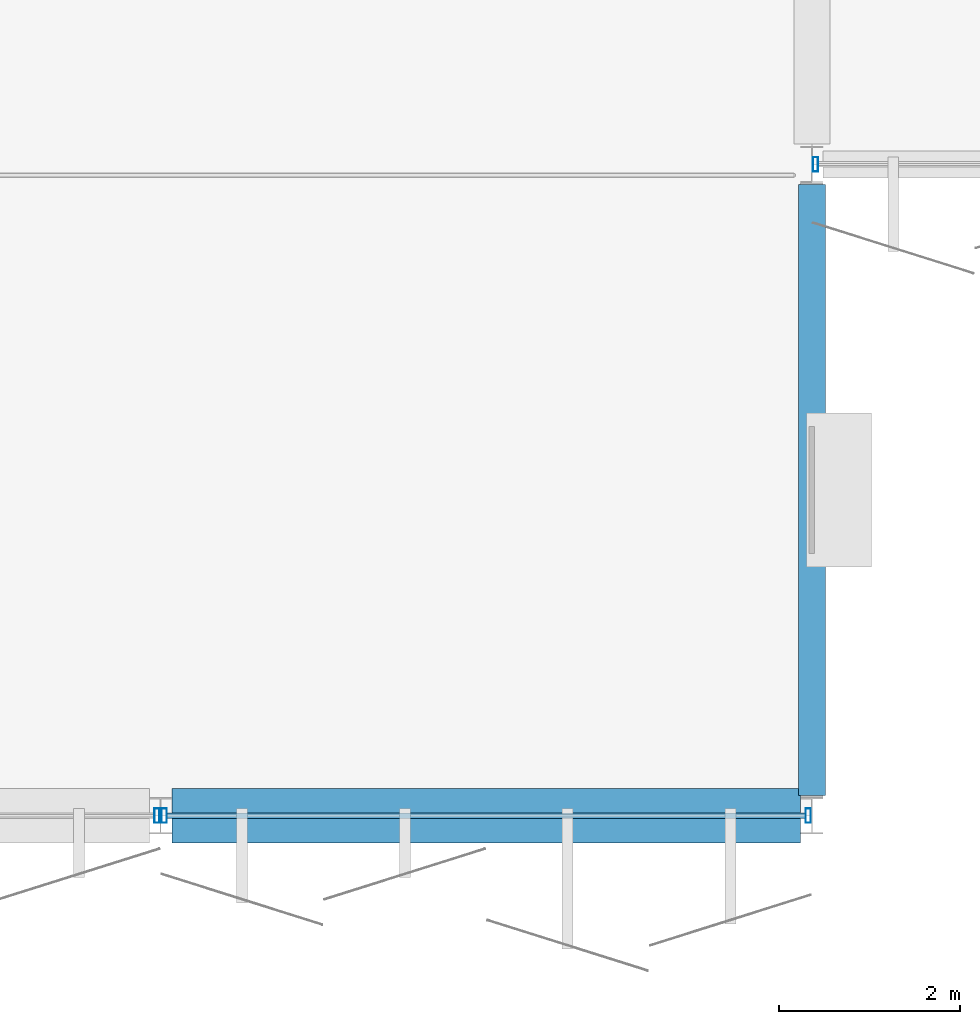
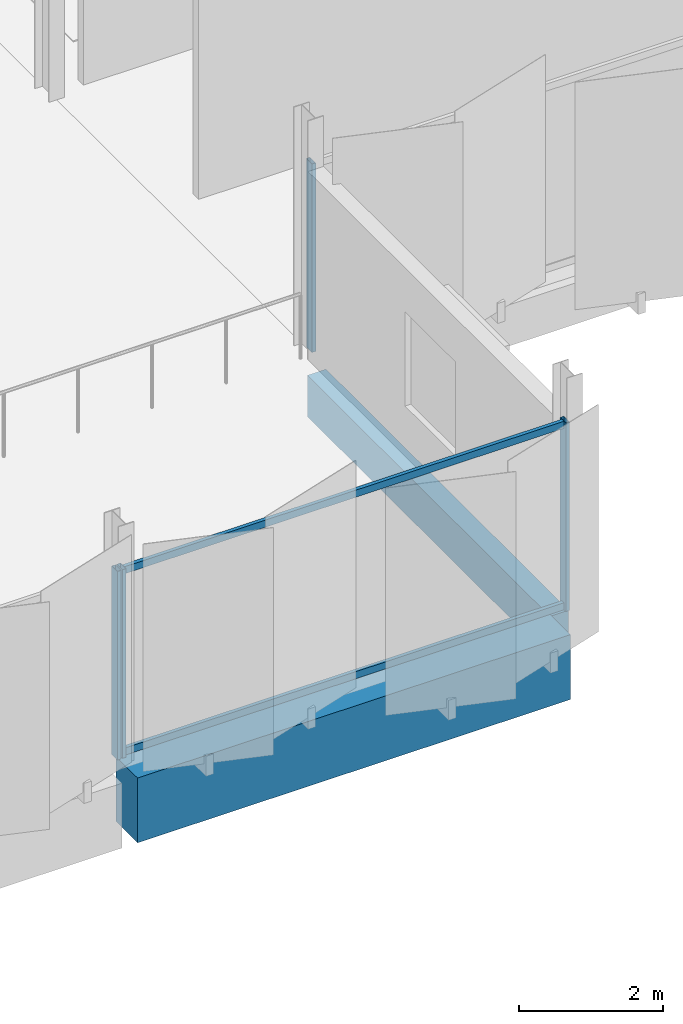
# One storey, part 42 of 107: 6 members, 2 beams, 3 elements without a shape of their own.
"""IFC4 building model written with IfcOpenShell, lengths in metres."""

from ifc_helpers import new_model, si_unit, direction, frame, origin, origin_2d, place, context, subcontext, project, spatial, rectangle, hollow_rectangle, extrude, material, layer, layer_set, material_profile, profile_set, type_object, element, aggregate, save


model = new_model("IFC4")

# Units and contexts
model_context = context("Model", 3, precision=1e-05, world=origin(), true_north=direction((0.0, 1.0)))
body_context = subcontext(model_context, "Body", "Model", "MODEL_VIEW")
ifc_project = project(units=[si_unit("LENGTHUNIT", "METRE"), si_unit("AREAUNIT", "SQUARE_METRE"), si_unit("VOLUMEUNIT", "CUBIC_METRE"), si_unit("PLANEANGLEUNIT", "RADIAN"), si_unit("MASSUNIT", "GRAM", prefix="KILO")], contexts=[model_context])

# Site, building, storey
site_placement = place(None, origin())
site = spatial("IfcSite", under=ifc_project, at=site_placement, CompositionType="ELEMENT")
building_placement = place(site_placement, origin())
building = spatial("IfcBuilding", under=site, at=building_placement, Name="Kangsadwip Square Police Headquarters", CompositionType="ELEMENT")
storey_placement = place(building_placement, frame((0.0, 0.0, 5.39990234375)))
storey = spatial("IfcBuildingStorey", under=building, at=storey_placement, Name="L01", CompositionType="ELEMENT", Elevation=5.39990234375)

# Curtain wall, member
ifc_material_1 = material(Name="Thermally broken anodised aluminium AW-6063-T6", Category="aluminium")
ifc_layer_1 = layer(ifc_material_1, 0.159912109375)
ifc_layer_set_1 = layer_set([ifc_layer_1], Name="Thermally broken anodised aluminium AW-6063-T6")
curtain_wall_type_1 = type_object("IfcCurtainWallType", Name="CourtScreen7180x3200", PredefinedType="USERDEFINED", material=ifc_layer_set_1)
curtain_wall_1_placement = place(storey_placement, origin())
curtain_wall_1 = element("IfcCurtainWall", 1, at=curtain_wall_1_placement, inside=storey, type_object=curtain_wall_type_1, Name="Curtain Wall CW-L01-0792-0864", ObjectType="GLAZED_SCREEN", PredefinedType="USERDEFINED")
ifc_material_2 = material(Name="Thermally broken anodised aluminium AW-6063-T6", Category="aluminium")
ifc_material_profile_1 = material_profile(ifc_material_2, hollow_rectangle(XDim=0.06005859375, YDim=0.159912109375, WallThickness=0.00390625, at=origin_2d()), Name="CWM 160X60X4")
ifc_profile_set_1 = profile_set([ifc_material_profile_1], Name="Thermally broken anodised aluminium AW-6063-T6")
member_type_1 = type_object("IfcMemberType", Name="CwMullion135x60", PredefinedType="MULLION", material=ifc_profile_set_1)
member_1_placement = place(storey_placement, frame((86.360107421875, 86.39990234375, 0.0), z_axis=(0.0, 0.0, 1.0), x_axis=(1.0, 0.0, 0.0)))
member_1 = element("IfcMember", 2, at=member_1_placement, type_object=member_type_1, Name="CW-17 mullion 2", PredefinedType="MULLION", context=body_context, shape_type="SweptSolid", body=[
    extrude(hollow_rectangle(XDim=0.06005859375, YDim=0.159912109375, WallThickness=0.00390625, at=origin_2d()), origin(), (0.0, 0.0, 1.0), 3.2001953125),
])
aggregate(curtain_wall_1, [member_1])

# Curtain wall, members
curtain_wall_2_placement = place(storey_placement, origin())
curtain_wall_2 = element("IfcCurtainWall", 3, at=curtain_wall_2_placement, inside=storey, type_object=curtain_wall_type_1, Name="Curtain Wall CW-L01-0864-0864", ObjectType="GLAZED_SCREEN", PredefinedType="USERDEFINED")
member_2_placement = place(storey_placement, frame((86.43994140625, 86.39990234375, 0.0), z_axis=(0.0, 0.0, 1.0), x_axis=(1.0, 0.0, 0.0)))
member_2 = element("IfcMember", 4, at=member_2_placement, type_object=member_type_1, Name="CW-17 mullion 1", PredefinedType="MULLION", context=body_context, shape_type="SweptSolid", body=[
    extrude(hollow_rectangle(XDim=0.06005859375, YDim=0.159912109375, WallThickness=0.00390625, at=origin_2d()), origin(), (0.0, 0.0, 1.0), 3.2001953125),
])
member_3_placement = place(storey_placement, frame((93.56005859375, 86.39990234375, 0.0), z_axis=(0.0, 0.0, 1.0), x_axis=(1.0, 0.0, 0.0)))
member_3 = element("IfcMember", 5, at=member_3_placement, type_object=member_type_1, Name="CW-17 mullion 2", PredefinedType="MULLION", context=body_context, shape_type="SweptSolid", body=[
    extrude(hollow_rectangle(XDim=0.06005859375, YDim=0.159912109375, WallThickness=0.00390625, at=origin_2d()), origin(), (0.0, 0.0, 1.0), 3.2001953125),
])

# Curtain wall, member
ifc_material_3 = material(Name="Thermally broken anodised aluminium AW-6063-T6", Category="aluminium")
ifc_layer_2 = layer(ifc_material_3, 0.159912109375)
ifc_layer_set_2 = layer_set([ifc_layer_2], Name="Thermally broken anodised aluminium AW-6063-T6")
curtain_wall_type_2 = type_object("IfcCurtainWallType", Name="CourtScreen6845x3200", PredefinedType="USERDEFINED", material=ifc_layer_set_2)
curtain_wall_3_placement = place(storey_placement, origin())
curtain_wall_3 = element("IfcCurtainWall", 6, at=curtain_wall_3_placement, inside=storey, type_object=curtain_wall_type_2, Name="Curtain Wall CW-L01-0936-0936", ObjectType="GLAZED_SCREEN", PredefinedType="USERDEFINED")
member_4_placement = place(storey_placement, frame((93.639892578125, 93.60009765625, 0.0), z_axis=(0.0, 0.0, 1.0), x_axis=(1.0, 0.0, 0.0)))
member_4 = element("IfcMember", 7, at=member_4_placement, type_object=member_type_1, Name="CW-18 mullion 1", PredefinedType="MULLION", context=body_context, shape_type="SweptSolid", body=[
    extrude(hollow_rectangle(XDim=0.06005859375, YDim=0.159912109375, WallThickness=0.00390625, at=origin_2d()), origin(), (0.0, 0.0, 1.0), 3.2001953125),
])
aggregate(curtain_wall_3, [member_4])

# Member
ifc_material_4 = material(Name="Thermally broken anodised aluminium AW-6063-T6", Category="aluminium")
ifc_material_profile_2 = material_profile(ifc_material_4, hollow_rectangle(XDim=0.06005859375, YDim=0.1201171875, WallThickness=0.00390625, at=origin_2d()), Name="CWT 120X60X4")
ifc_profile_set_2 = profile_set([ifc_material_profile_2], Name="Thermally broken anodised aluminium AW-6063-T6")
member_type_2 = type_object("IfcMemberType", Name="CwTransom120x55", PredefinedType="USERDEFINED", material=ifc_profile_set_2)
member_5_placement = place(storey_placement, frame((86.469970703125, 86.39990234375, 0.06005859375), z_axis=(1.0, 0.0, 0.0), x_axis=(0.0, 1.0, 0.0)))
member_5 = element("IfcMember", 8, at=member_5_placement, type_object=member_type_2, Name="CW-17 transom 1.1", ObjectType="TRANSOM", PredefinedType="USERDEFINED", context=body_context, shape_type="SweptSolid", body=[
    extrude(hollow_rectangle(XDim=0.06005859375, YDim=0.1201171875, WallThickness=0.00390625, at=origin_2d()), origin(), (0.0, 0.0, 1.0), 7.06005859375),
])

member_6_placement = place(storey_placement, frame((86.469970703125, 86.39990234375, 3.14013671875), z_axis=(1.0, 0.0, 0.0), x_axis=(0.0, 1.0, 0.0)))
member_6 = element("IfcMember", 9, at=member_6_placement, type_object=member_type_2, Name="CW-17 transom 1.2", ObjectType="TRANSOM", PredefinedType="USERDEFINED", context=body_context, shape_type="SweptSolid", body=[
    extrude(hollow_rectangle(XDim=0.06005859375, YDim=0.1201171875, WallThickness=0.00390625, at=origin_2d()), origin(), (0.0, 0.0, 1.0), 7.06005859375),
])

aggregate(curtain_wall_2, [member_2, member_3, member_5, member_6])

# Beams
ifc_material_5 = material(Name="Concrete M40 (40 MPa)", Category="concrete")
ifc_material_profile_3 = material_profile(ifc_material_5, rectangle(XDim=0.300048828125, YDim=0.699951171875, at=origin_2d()), Name="RC SPN 700X300")
ifc_profile_set_3 = profile_set([ifc_material_profile_3], Name="Concrete M40 (40 MPa)")
beam_type_1 = type_object("IfcBeamType", Name="RcSpandrel700x300", PredefinedType="SPANDREL", material=ifc_profile_set_3)
beam_1_placement = place(storey_placement, frame((93.60009765625, 86.625, -0.58984375), z_axis=(0.0, 1.0, 0.0), x_axis=(-1.0, 0.0, 0.0)))
element("IfcBeam", 10, at=beam_1_placement, inside=storey, type_object=beam_type_1, Name="Beam BM-L01-Y-13-12", PredefinedType="SPANDREL", context=body_context, shape_type="SweptSolid", body=[
    extrude(rectangle(XDim=0.300048828125, YDim=0.699951171875, at=origin_2d()), origin(), (0.0, 0.0, 1.0), 6.75),
])
ifc_material_6 = material(Name="Concrete M40 (40 MPa)", Category="concrete")
ifc_material_profile_4 = material_profile(ifc_material_6, rectangle(XDim=0.60009765625, YDim=1.10009765625, at=origin_2d()), Name="RC TG 1100X600")
ifc_profile_set_4 = profile_set([ifc_material_profile_4], Name="Concrete M40 (40 MPa)")
beam_type_2 = type_object("IfcBeamType", Name="RcTransfer1100x600", PredefinedType="USERDEFINED", material=ifc_profile_set_4)
beam_2_placement = place(storey_placement, frame((86.52490234375, 86.39990234375, -0.789794921875), z_axis=(1.0, 0.0, 0.0), x_axis=(0.0, 1.0, 0.0)))
element("IfcBeam", 11, at=beam_2_placement, inside=storey, type_object=beam_type_2, Name="Beam BM-L01-X-12-12", ObjectType="TRANSFER_GIRDER", PredefinedType="USERDEFINED", context=body_context, shape_type="SweptSolid", body=[
    extrude(rectangle(XDim=0.60009765625, YDim=1.10009765625, at=origin_2d()), origin(), (0.0, 0.0, 1.0), 6.9501953125),
])

save(model, "model.ifc")
